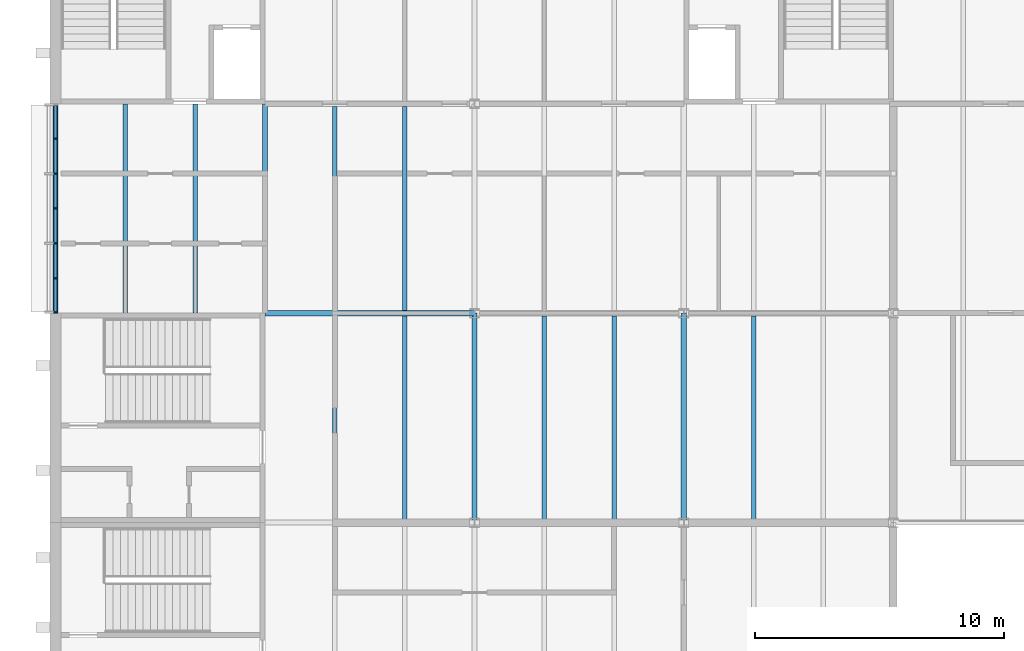
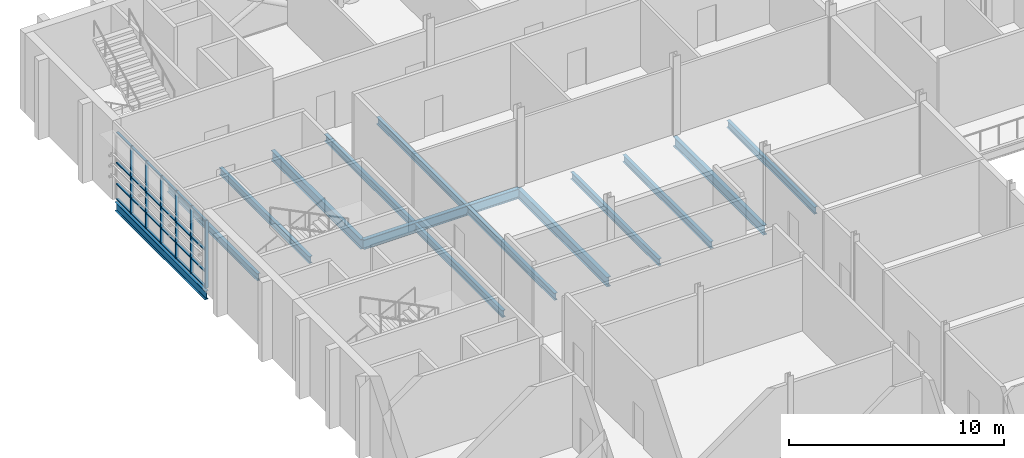
# One storey, part 45 of 129: 30 members, 14 beams, 1 element without a shape of its own.
"""IFC4 building model written with IfcOpenShell, lengths in metres."""

from ifc_helpers import new_model, si_unit, direction, frame, origin, origin_2d, place, context, subcontext, project, spatial, rectangle, i_section, extrude, material, layer, layer_set, material_profile, profile_set, type_object, element, aggregate, save


model = new_model("IFC4")

# Units and contexts
model_context = context("Model", 3, precision=1e-05, world=origin(), true_north=direction((0.0, 1.0)))
body_context = subcontext(model_context, "Body", "Model", "MODEL_VIEW")
ifc_project = project(units=[si_unit("LENGTHUNIT", "METRE"), si_unit("AREAUNIT", "SQUARE_METRE"), si_unit("VOLUMEUNIT", "CUBIC_METRE"), si_unit("PLANEANGLEUNIT", "RADIAN"), si_unit("MASSUNIT", "GRAM", prefix="KILO")], contexts=[model_context])

# Site, building, storey
site_placement = place(None, origin())
site = spatial("IfcSite", under=ifc_project, at=site_placement, CompositionType="ELEMENT")
building_placement = place(site_placement, origin())
building = spatial("IfcBuilding", under=site, at=building_placement, Name="Ardhachandra Cancer Care Centre", CompositionType="ELEMENT")
storey_placement = place(building_placement, frame((0.0, 0.0, 4.5)))
storey = spatial("IfcBuildingStorey", under=building, at=storey_placement, Name="L01", CompositionType="ELEMENT", Elevation=4.5)

# Beams
ifc_material_1 = material(Name="Steel E350 (IS 2062)", Category="steel")
ifc_material_profile_1 = material_profile(ifc_material_1, i_section(OverallWidth=0.179931640625, OverallDepth=0.39990234375, WebThickness=0.008544921875, FlangeThickness=0.013427734375, FilletRadius=0.02099609375, at=origin_2d()), Name="NPB 400x180x66.30")
ifc_profile_set_1 = profile_set([ifc_material_profile_1], Name="Steel E350 (IS 2062)")
beam_type_1 = type_object("IfcBeamType", Name="Beam NPB 400x180x66.30", PredefinedType="BEAM", material=ifc_profile_set_1)
for number, where, z_axis, x_axis, name in (
    (1, (13.60009765625, 79.800048828125, -0.35009765625), (0.0, 1.0, 0.0), (-1.0, 0.0, 0.0), "Secondary J1-K1@2800"),
    (2, (16.39990234375, 79.800048828125, -0.35009765625), (0.0, 1.0, 0.0), (-1.0, 0.0, 0.0), "Secondary J1-K1@5600"),
):
    element("IfcBeam", number, at=place(storey_placement, frame(where, z_axis=z_axis, x_axis=x_axis)), inside=storey, type_object=beam_type_1, Name=name, PredefinedType="BEAM", context=body_context, shape_type="SweptSolid", body=[
        extrude(i_section(OverallWidth=0.179931640625, OverallDepth=0.39990234375, WebThickness=0.008544921875, FlangeThickness=0.013427734375, FilletRadius=0.02099609375, at=origin_2d()), origin(), (0.0, 0.0, 1.0), 8.39990234375),
    ])
beam_1_placement = place(storey_placement, frame((22.0, 71.5, -0.35009765625), z_axis=(0.0, 1.0, 0.0), x_axis=(-1.0, 0.0, 0.0)))
element("IfcBeam", 3, at=beam_1_placement, inside=storey, type_object=beam_type_1, Name="Secondary H2-J2@2800", PredefinedType="BEAM", context=body_context, shape_type="SweptSolid", body=[
    extrude(i_section(OverallWidth=0.179931640625, OverallDepth=0.39990234375, WebThickness=0.008544921875, FlangeThickness=0.013427734375, FilletRadius=0.02099609375, at=origin_2d()), origin(), (0.0, 0.0, 1.0), 8.195068359375),
])
beam_2_placement = place(storey_placement, frame((22.0, 79.905029296875, -0.35009765625), z_axis=(0.0, 1.0, 0.0), x_axis=(-1.0, 0.0, 0.0)))
element("IfcBeam", 4, at=beam_2_placement, inside=storey, type_object=beam_type_1, Name="Secondary J2-K2@2800", PredefinedType="BEAM", context=body_context, shape_type="SweptSolid", body=[
    extrude(i_section(OverallWidth=0.179931640625, OverallDepth=0.39990234375, WebThickness=0.008544921875, FlangeThickness=0.013427734375, FilletRadius=0.02099609375, at=origin_2d()), origin(), (0.0, 0.0, 1.0), 8.18994140625),
])
beam_3_placement = place(storey_placement, frame((24.800048828125, 71.5, -0.35009765625), z_axis=(0.0, 1.0, 0.0), x_axis=(-1.0, 0.0, 0.0)))
element("IfcBeam", 5, at=beam_3_placement, inside=storey, type_object=beam_type_1, Name="Secondary H2-J2@5600", PredefinedType="BEAM", context=body_context, shape_type="SweptSolid", body=[
    extrude(i_section(OverallWidth=0.179931640625, OverallDepth=0.39990234375, WebThickness=0.008544921875, FlangeThickness=0.013427734375, FilletRadius=0.02099609375, at=origin_2d()), origin(), (0.0, 0.0, 1.0), 8.195068359375),
])
beam_4_placement = place(storey_placement, frame((24.800048828125, 79.905029296875, -0.35009765625), z_axis=(0.0, 1.0, 0.0), x_axis=(-1.0, 0.0, 0.0)))
element("IfcBeam", 6, at=beam_4_placement, inside=storey, type_object=beam_type_1, Name="Secondary J2-K2@5600", PredefinedType="BEAM", context=body_context, shape_type="SweptSolid", body=[
    extrude(i_section(OverallWidth=0.179931640625, OverallDepth=0.39990234375, WebThickness=0.008544921875, FlangeThickness=0.013427734375, FilletRadius=0.02099609375, at=origin_2d()), origin(), (0.0, 0.0, 1.0), 8.18994140625),
])
for number, where, z_axis, x_axis, name in (
    (7, (30.39990234375, 71.5, -0.35009765625), (0.0, 1.0, 0.0), (-1.0, 0.0, 0.0), "Secondary H3-J3@2800"),
    (8, (33.199951171875, 71.5, -0.35009765625), (0.0, 1.0, 0.0), (-1.0, 0.0, 0.0), "Secondary H3-J3@5600"),
    (9, (38.800048828125, 71.5, -0.35009765625), (0.0, 1.0, 0.0), (-1.0, 0.0, 0.0), "Secondary H4-J4@2800"),
):
    element("IfcBeam", number, at=place(storey_placement, frame(where, z_axis=z_axis, x_axis=x_axis)), inside=storey, type_object=beam_type_1, Name=name, PredefinedType="BEAM", context=body_context, shape_type="SweptSolid", body=[
        extrude(i_section(OverallWidth=0.179931640625, OverallDepth=0.39990234375, WebThickness=0.008544921875, FlangeThickness=0.013427734375, FilletRadius=0.02099609375, at=origin_2d()), origin(), (0.0, 0.0, 1.0), 8.195068359375),
    ])
ifc_material_2 = material(Name="Steel E350 (IS 2062)", Category="steel")
ifc_material_profile_2 = material_profile(ifc_material_2, i_section(OverallWidth=0.199951171875, OverallDepth=0.5, WebThickness=0.01025390625, FlangeThickness=0.01611328125, FilletRadius=0.02099609375, at=origin_2d()), Name="NPB 500x200x90.68")
ifc_profile_set_2 = profile_set([ifc_material_profile_2], Name="Steel E350 (IS 2062)")
beam_type_2 = type_object("IfcBeamType", Name="Beam NPB 500x200x90.68", PredefinedType="BEAM", material=ifc_profile_set_2)
beam_5_placement = place(storey_placement, frame((10.800048828125, 79.800048828125, -0.39990234375), z_axis=(0.0, 1.0, 0.0), x_axis=(-1.0, 0.0, 0.0)))
element("IfcBeam", 10, at=beam_5_placement, inside=storey, type_object=beam_type_2, Name="Edge girder J1-K1", PredefinedType="BEAM", context=body_context, shape_type="SweptSolid", body=[
    extrude(i_section(OverallWidth=0.199951171875, OverallDepth=0.5, WebThickness=0.01025390625, FlangeThickness=0.01611328125, FilletRadius=0.02099609375, at=origin_2d()), origin(), (0.0, 0.0, 1.0), 8.39990234375),
])
ifc_material_3 = material(Name="Steel E350 (IS 2062)", Category="steel")
ifc_material_profile_3 = material_profile(ifc_material_3, i_section(OverallWidth=0.2099609375, OverallDepth=0.550048828125, WebThickness=0.010986328125, FlangeThickness=0.01708984375, FilletRadius=0.02392578125, at=origin_2d()), Name="NPB 550x210x105.52")
ifc_profile_set_3 = profile_set([ifc_material_profile_3], Name="Steel E350 (IS 2062)")
beam_type_3 = type_object("IfcBeamType", Name="Beam NPB 550x210x105.52", PredefinedType="BEAM", material=ifc_profile_set_3)
beam_6_placement = place(storey_placement, frame((19.199951171875, 79.800048828125, -0.425048828125), z_axis=(1.0, 0.0, 0.0), x_axis=(0.0, 1.0, 0.0)))
element("IfcBeam", 11, at=beam_6_placement, inside=storey, type_object=beam_type_3, Name="Girder J2-J3", PredefinedType="BEAM", context=body_context, shape_type="SweptSolid", body=[
    extrude(i_section(OverallWidth=0.2099609375, OverallDepth=0.550048828125, WebThickness=0.010986328125, FlangeThickness=0.01708984375, FilletRadius=0.02392578125, at=origin_2d()), origin(), (0.0, 0.0, 1.0), 8.400146484375),
])
beam_7_placement = place(storey_placement, frame((19.199951171875, 79.800048828125, -0.425048828125), z_axis=(0.0, 1.0, 0.0), x_axis=(-1.0, 0.0, 0.0)))
element("IfcBeam", 12, at=beam_7_placement, inside=storey, type_object=beam_type_3, Name="Girder J2-K2", PredefinedType="BEAM", context=body_context, shape_type="SweptSolid", body=[
    extrude(i_section(OverallWidth=0.2099609375, OverallDepth=0.550048828125, WebThickness=0.010986328125, FlangeThickness=0.01708984375, FilletRadius=0.02392578125, at=origin_2d()), origin(), (0.0, 0.0, 1.0), 8.39990234375),
])
for number, where, z_axis, x_axis, name in (
    (13, (27.60009765625, 71.39990234375, -0.425048828125), (0.0, 1.0, 0.0), (-1.0, 0.0, 0.0), "Girder H3-J3"),
    (14, (36.0, 71.39990234375, -0.425048828125), (0.0, 1.0, 0.0), (-1.0, 0.0, 0.0), "Girder H4-J4"),
):
    element("IfcBeam", number, at=place(storey_placement, frame(where, z_axis=z_axis, x_axis=x_axis)), inside=storey, type_object=beam_type_3, Name=name, PredefinedType="BEAM", context=body_context, shape_type="SweptSolid", body=[
        extrude(i_section(OverallWidth=0.2099609375, OverallDepth=0.550048828125, WebThickness=0.010986328125, FlangeThickness=0.01708984375, FilletRadius=0.02392578125, at=origin_2d()), origin(), (0.0, 0.0, 1.0), 8.400146484375),
    ])

# Curtain wall, members
ifc_material_4 = material(Name="Aluminium extrusion", Category="aluminium")
ifc_layer = layer(ifc_material_4, 0.14990234375)
ifc_layer_set = layer_set([ifc_layer], Name="Aluminium extrusion")
curtain_wall_type = type_object("IfcCurtainWallType", Name="Curtain wall run", PredefinedType="NOTDEFINED", material=ifc_layer_set)
curtain_wall_placement = place(storey_placement, origin())
curtain_wall = element("IfcCurtainWall", 15, at=curtain_wall_placement, inside=storey, type_object=curtain_wall_type, Name="Curtain wall L01 w/0010800_0079800", PredefinedType="NOTDEFINED")
ifc_material_5 = material(Name="Aluminium extrusion", Category="aluminium")
ifc_material_profile_4 = material_profile(ifc_material_5, rectangle(XDim=0.159912109375, YDim=0.06005859375, at=origin_2d()), Name="Curtain wall mullion 60 x 160")
ifc_profile_set_4 = profile_set([ifc_material_profile_4], Name="Aluminium extrusion")
member_type_1 = type_object("IfcMemberType", Name="Curtain wall mullion 60 x 160", PredefinedType="MULLION", material=ifc_profile_set_4)
member_1_placement = place(storey_placement, frame((10.800048828125, 79.830078125, 0.0), z_axis=(0.0, 0.0, 1.0), x_axis=(-1.0, 0.0, 0.0)))
member_1 = element("IfcMember", 16, at=member_1_placement, type_object=member_type_1, Name="CW mullion 1", PredefinedType="MULLION", context=body_context, shape_type="SweptSolid", body=[
    extrude(rectangle(XDim=0.159912109375, YDim=0.06005859375, at=origin_2d()), origin(), (0.0, 0.0, 1.0), 3.85009765625),
])
member_2_placement = place(storey_placement, frame((10.800048828125, 81.199951171875, 0.0), z_axis=(0.0, 0.0, 1.0), x_axis=(-1.0, 0.0, 0.0)))
member_2 = element("IfcMember", 17, at=member_2_placement, type_object=member_type_1, Name="CW mullion 2", PredefinedType="MULLION", context=body_context, shape_type="SweptSolid", body=[
    extrude(rectangle(XDim=0.159912109375, YDim=0.06005859375, at=origin_2d()), origin(), (0.0, 0.0, 1.0), 3.85009765625),
])
member_3_placement = place(storey_placement, frame((10.800048828125, 82.60009765625, 0.0), z_axis=(0.0, 0.0, 1.0), x_axis=(-1.0, 0.0, 0.0)))
member_3 = element("IfcMember", 18, at=member_3_placement, type_object=member_type_1, Name="CW mullion 3", PredefinedType="MULLION", context=body_context, shape_type="SweptSolid", body=[
    extrude(rectangle(XDim=0.159912109375, YDim=0.06005859375, at=origin_2d()), origin(), (0.0, 0.0, 1.0), 3.85009765625),
])
member_4_placement = place(storey_placement, frame((10.800048828125, 84.0, 0.0), z_axis=(0.0, 0.0, 1.0), x_axis=(-1.0, 0.0, 0.0)))
member_4 = element("IfcMember", 19, at=member_4_placement, type_object=member_type_1, Name="CW mullion 4", PredefinedType="MULLION", context=body_context, shape_type="SweptSolid", body=[
    extrude(rectangle(XDim=0.159912109375, YDim=0.06005859375, at=origin_2d()), origin(), (0.0, 0.0, 1.0), 3.85009765625),
])
member_5_placement = place(storey_placement, frame((10.800048828125, 85.39990234375, 0.0), z_axis=(0.0, 0.0, 1.0), x_axis=(-1.0, 0.0, 0.0)))
member_5 = element("IfcMember", 20, at=member_5_placement, type_object=member_type_1, Name="CW mullion 5", PredefinedType="MULLION", context=body_context, shape_type="SweptSolid", body=[
    extrude(rectangle(XDim=0.159912109375, YDim=0.06005859375, at=origin_2d()), origin(), (0.0, 0.0, 1.0), 3.85009765625),
])
member_6_placement = place(storey_placement, frame((10.800048828125, 86.800048828125, 0.0), z_axis=(0.0, 0.0, 1.0), x_axis=(-1.0, 0.0, 0.0)))
member_6 = element("IfcMember", 21, at=member_6_placement, type_object=member_type_1, Name="CW mullion 6", PredefinedType="MULLION", context=body_context, shape_type="SweptSolid", body=[
    extrude(rectangle(XDim=0.159912109375, YDim=0.06005859375, at=origin_2d()), origin(), (0.0, 0.0, 1.0), 3.85009765625),
])
ifc_material_6 = material(Name="Aluminium extrusion", Category="aluminium")
ifc_material_profile_5 = material_profile(ifc_material_6, rectangle(XDim=0.1201171875, YDim=0.06005859375, at=origin_2d()), Name="Curtain wall transom 60 x 120")
ifc_profile_set_5 = profile_set([ifc_material_profile_5], Name="Aluminium extrusion")
member_type_2 = type_object("IfcMemberType", Name="Curtain wall transom 60 x 120", PredefinedType="USERDEFINED", material=ifc_profile_set_5)
member_7_placement = place(storey_placement, frame((10.800048828125, 79.860107421875, 0.030029296875), z_axis=(0.0, 1.0, 0.0), x_axis=(-1.0, 0.0, 0.0)))
member_7 = element("IfcMember", 22, at=member_7_placement, type_object=member_type_2, Name="CW transom 1.1", ObjectType="TRANSOM", PredefinedType="USERDEFINED", context=body_context, shape_type="SweptSolid", body=[
    extrude(rectangle(XDim=0.1201171875, YDim=0.06005859375, at=origin_2d()), origin(), (0.0, 0.0, 1.0), 1.309814453125),
])
member_8_placement = place(storey_placement, frame((10.800048828125, 79.860107421875, 0.89990234375), z_axis=(0.0, 1.0, 0.0), x_axis=(-1.0, 0.0, 0.0)))
member_8 = element("IfcMember", 23, at=member_8_placement, type_object=member_type_2, Name="CW transom 1.2", ObjectType="TRANSOM", PredefinedType="USERDEFINED", context=body_context, shape_type="SweptSolid", body=[
    extrude(rectangle(XDim=0.1201171875, YDim=0.06005859375, at=origin_2d()), origin(), (0.0, 0.0, 1.0), 1.309814453125),
])
member_9_placement = place(storey_placement, frame((10.800048828125, 79.860107421875, 2.10009765625), z_axis=(0.0, 1.0, 0.0), x_axis=(-1.0, 0.0, 0.0)))
member_9 = element("IfcMember", 24, at=member_9_placement, type_object=member_type_2, Name="CW transom 1.3", ObjectType="TRANSOM", PredefinedType="USERDEFINED", context=body_context, shape_type="SweptSolid", body=[
    extrude(rectangle(XDim=0.1201171875, YDim=0.06005859375, at=origin_2d()), origin(), (0.0, 0.0, 1.0), 1.309814453125),
])
member_10_placement = place(storey_placement, frame((10.800048828125, 79.860107421875, 3.820068359375), z_axis=(0.0, 1.0, 0.0), x_axis=(-1.0, 0.0, 0.0)))
member_10 = element("IfcMember", 25, at=member_10_placement, type_object=member_type_2, Name="CW transom 1.4", ObjectType="TRANSOM", PredefinedType="USERDEFINED", context=body_context, shape_type="SweptSolid", body=[
    extrude(rectangle(XDim=0.1201171875, YDim=0.06005859375, at=origin_2d()), origin(), (0.0, 0.0, 1.0), 1.309814453125),
])
member_11_placement = place(storey_placement, frame((10.800048828125, 81.22998046875, 0.030029296875), z_axis=(0.0, 1.0, 0.0), x_axis=(-1.0, 0.0, 0.0)))
member_11 = element("IfcMember", 26, at=member_11_placement, type_object=member_type_2, Name="CW transom 2.1", ObjectType="TRANSOM", PredefinedType="USERDEFINED", context=body_context, shape_type="SweptSolid", body=[
    extrude(rectangle(XDim=0.1201171875, YDim=0.06005859375, at=origin_2d()), origin(), (0.0, 0.0, 1.0), 1.340087890625),
])
member_12_placement = place(storey_placement, frame((10.800048828125, 81.22998046875, 0.89990234375), z_axis=(0.0, 1.0, 0.0), x_axis=(-1.0, 0.0, 0.0)))
member_12 = element("IfcMember", 27, at=member_12_placement, type_object=member_type_2, Name="CW transom 2.2", ObjectType="TRANSOM", PredefinedType="USERDEFINED", context=body_context, shape_type="SweptSolid", body=[
    extrude(rectangle(XDim=0.1201171875, YDim=0.06005859375, at=origin_2d()), origin(), (0.0, 0.0, 1.0), 1.340087890625),
])
member_13_placement = place(storey_placement, frame((10.800048828125, 81.22998046875, 2.10009765625), z_axis=(0.0, 1.0, 0.0), x_axis=(-1.0, 0.0, 0.0)))
member_13 = element("IfcMember", 28, at=member_13_placement, type_object=member_type_2, Name="CW transom 2.3", ObjectType="TRANSOM", PredefinedType="USERDEFINED", context=body_context, shape_type="SweptSolid", body=[
    extrude(rectangle(XDim=0.1201171875, YDim=0.06005859375, at=origin_2d()), origin(), (0.0, 0.0, 1.0), 1.340087890625),
])
member_14_placement = place(storey_placement, frame((10.800048828125, 81.22998046875, 3.820068359375), z_axis=(0.0, 1.0, 0.0), x_axis=(-1.0, 0.0, 0.0)))
member_14 = element("IfcMember", 29, at=member_14_placement, type_object=member_type_2, Name="CW transom 2.4", ObjectType="TRANSOM", PredefinedType="USERDEFINED", context=body_context, shape_type="SweptSolid", body=[
    extrude(rectangle(XDim=0.1201171875, YDim=0.06005859375, at=origin_2d()), origin(), (0.0, 0.0, 1.0), 1.340087890625),
])
member_15_placement = place(storey_placement, frame((10.800048828125, 82.6298828125, 0.030029296875), z_axis=(0.0, 1.0, 0.0), x_axis=(-1.0, 0.0, 0.0)))
member_15 = element("IfcMember", 30, at=member_15_placement, type_object=member_type_2, Name="CW transom 3.1", ObjectType="TRANSOM", PredefinedType="USERDEFINED", context=body_context, shape_type="SweptSolid", body=[
    extrude(rectangle(XDim=0.1201171875, YDim=0.06005859375, at=origin_2d()), origin(), (0.0, 0.0, 1.0), 1.340087890625),
])
member_16_placement = place(storey_placement, frame((10.800048828125, 82.6298828125, 0.89990234375), z_axis=(0.0, 1.0, 0.0), x_axis=(-1.0, 0.0, 0.0)))
member_16 = element("IfcMember", 31, at=member_16_placement, type_object=member_type_2, Name="CW transom 3.2", ObjectType="TRANSOM", PredefinedType="USERDEFINED", context=body_context, shape_type="SweptSolid", body=[
    extrude(rectangle(XDim=0.1201171875, YDim=0.06005859375, at=origin_2d()), origin(), (0.0, 0.0, 1.0), 1.340087890625),
])
member_17_placement = place(storey_placement, frame((10.800048828125, 82.6298828125, 2.10009765625), z_axis=(0.0, 1.0, 0.0), x_axis=(-1.0, 0.0, 0.0)))
member_17 = element("IfcMember", 32, at=member_17_placement, type_object=member_type_2, Name="CW transom 3.3", ObjectType="TRANSOM", PredefinedType="USERDEFINED", context=body_context, shape_type="SweptSolid", body=[
    extrude(rectangle(XDim=0.1201171875, YDim=0.06005859375, at=origin_2d()), origin(), (0.0, 0.0, 1.0), 1.340087890625),
])
member_18_placement = place(storey_placement, frame((10.800048828125, 82.6298828125, 3.820068359375), z_axis=(0.0, 1.0, 0.0), x_axis=(-1.0, 0.0, 0.0)))
member_18 = element("IfcMember", 33, at=member_18_placement, type_object=member_type_2, Name="CW transom 3.4", ObjectType="TRANSOM", PredefinedType="USERDEFINED", context=body_context, shape_type="SweptSolid", body=[
    extrude(rectangle(XDim=0.1201171875, YDim=0.06005859375, at=origin_2d()), origin(), (0.0, 0.0, 1.0), 1.340087890625),
])
member_19_placement = place(storey_placement, frame((10.800048828125, 84.030029296875, 0.030029296875), z_axis=(0.0, 1.0, 0.0), x_axis=(-1.0, 0.0, 0.0)))
member_19 = element("IfcMember", 34, at=member_19_placement, type_object=member_type_2, Name="CW transom 4.1", ObjectType="TRANSOM", PredefinedType="USERDEFINED", context=body_context, shape_type="SweptSolid", body=[
    extrude(rectangle(XDim=0.1201171875, YDim=0.06005859375, at=origin_2d()), origin(), (0.0, 0.0, 1.0), 1.340087890625),
])
member_20_placement = place(storey_placement, frame((10.800048828125, 84.030029296875, 0.89990234375), z_axis=(0.0, 1.0, 0.0), x_axis=(-1.0, 0.0, 0.0)))
member_20 = element("IfcMember", 35, at=member_20_placement, type_object=member_type_2, Name="CW transom 4.2", ObjectType="TRANSOM", PredefinedType="USERDEFINED", context=body_context, shape_type="SweptSolid", body=[
    extrude(rectangle(XDim=0.1201171875, YDim=0.06005859375, at=origin_2d()), origin(), (0.0, 0.0, 1.0), 1.340087890625),
])
member_21_placement = place(storey_placement, frame((10.800048828125, 84.030029296875, 2.10009765625), z_axis=(0.0, 1.0, 0.0), x_axis=(-1.0, 0.0, 0.0)))
member_21 = element("IfcMember", 36, at=member_21_placement, type_object=member_type_2, Name="CW transom 4.3", ObjectType="TRANSOM", PredefinedType="USERDEFINED", context=body_context, shape_type="SweptSolid", body=[
    extrude(rectangle(XDim=0.1201171875, YDim=0.06005859375, at=origin_2d()), origin(), (0.0, 0.0, 1.0), 1.340087890625),
])
member_22_placement = place(storey_placement, frame((10.800048828125, 84.030029296875, 3.820068359375), z_axis=(0.0, 1.0, 0.0), x_axis=(-1.0, 0.0, 0.0)))
member_22 = element("IfcMember", 37, at=member_22_placement, type_object=member_type_2, Name="CW transom 4.4", ObjectType="TRANSOM", PredefinedType="USERDEFINED", context=body_context, shape_type="SweptSolid", body=[
    extrude(rectangle(XDim=0.1201171875, YDim=0.06005859375, at=origin_2d()), origin(), (0.0, 0.0, 1.0), 1.340087890625),
])
member_23_placement = place(storey_placement, frame((10.800048828125, 85.429931640625, 0.030029296875), z_axis=(0.0, 1.0, 0.0), x_axis=(-1.0, 0.0, 0.0)))
member_23 = element("IfcMember", 38, at=member_23_placement, type_object=member_type_2, Name="CW transom 5.1", ObjectType="TRANSOM", PredefinedType="USERDEFINED", context=body_context, shape_type="SweptSolid", body=[
    extrude(rectangle(XDim=0.1201171875, YDim=0.06005859375, at=origin_2d()), origin(), (0.0, 0.0, 1.0), 1.340087890625),
])
member_24_placement = place(storey_placement, frame((10.800048828125, 85.429931640625, 0.89990234375), z_axis=(0.0, 1.0, 0.0), x_axis=(-1.0, 0.0, 0.0)))
member_24 = element("IfcMember", 39, at=member_24_placement, type_object=member_type_2, Name="CW transom 5.2", ObjectType="TRANSOM", PredefinedType="USERDEFINED", context=body_context, shape_type="SweptSolid", body=[
    extrude(rectangle(XDim=0.1201171875, YDim=0.06005859375, at=origin_2d()), origin(), (0.0, 0.0, 1.0), 1.340087890625),
])
member_25_placement = place(storey_placement, frame((10.800048828125, 85.429931640625, 2.10009765625), z_axis=(0.0, 1.0, 0.0), x_axis=(-1.0, 0.0, 0.0)))
member_25 = element("IfcMember", 40, at=member_25_placement, type_object=member_type_2, Name="CW transom 5.3", ObjectType="TRANSOM", PredefinedType="USERDEFINED", context=body_context, shape_type="SweptSolid", body=[
    extrude(rectangle(XDim=0.1201171875, YDim=0.06005859375, at=origin_2d()), origin(), (0.0, 0.0, 1.0), 1.340087890625),
])
member_26_placement = place(storey_placement, frame((10.800048828125, 85.429931640625, 3.820068359375), z_axis=(0.0, 1.0, 0.0), x_axis=(-1.0, 0.0, 0.0)))
member_26 = element("IfcMember", 41, at=member_26_placement, type_object=member_type_2, Name="CW transom 5.4", ObjectType="TRANSOM", PredefinedType="USERDEFINED", context=body_context, shape_type="SweptSolid", body=[
    extrude(rectangle(XDim=0.1201171875, YDim=0.06005859375, at=origin_2d()), origin(), (0.0, 0.0, 1.0), 1.340087890625),
])
member_27_placement = place(storey_placement, frame((10.800048828125, 86.830078125, 0.030029296875), z_axis=(0.0, 1.0, 0.0), x_axis=(-1.0, 0.0, 0.0)))
member_27 = element("IfcMember", 42, at=member_27_placement, type_object=member_type_2, Name="CW transom 6.1", ObjectType="TRANSOM", PredefinedType="USERDEFINED", context=body_context, shape_type="SweptSolid", body=[
    extrude(rectangle(XDim=0.1201171875, YDim=0.06005859375, at=origin_2d()), origin(), (0.0, 0.0, 1.0), 1.309814453125),
])
member_28_placement = place(storey_placement, frame((10.800048828125, 86.830078125, 0.89990234375), z_axis=(0.0, 1.0, 0.0), x_axis=(-1.0, 0.0, 0.0)))
member_28 = element("IfcMember", 43, at=member_28_placement, type_object=member_type_2, Name="CW transom 6.2", ObjectType="TRANSOM", PredefinedType="USERDEFINED", context=body_context, shape_type="SweptSolid", body=[
    extrude(rectangle(XDim=0.1201171875, YDim=0.06005859375, at=origin_2d()), origin(), (0.0, 0.0, 1.0), 1.309814453125),
])
member_29_placement = place(storey_placement, frame((10.800048828125, 86.830078125, 2.10009765625), z_axis=(0.0, 1.0, 0.0), x_axis=(-1.0, 0.0, 0.0)))
member_29 = element("IfcMember", 44, at=member_29_placement, type_object=member_type_2, Name="CW transom 6.3", ObjectType="TRANSOM", PredefinedType="USERDEFINED", context=body_context, shape_type="SweptSolid", body=[
    extrude(rectangle(XDim=0.1201171875, YDim=0.06005859375, at=origin_2d()), origin(), (0.0, 0.0, 1.0), 1.309814453125),
])
member_30_placement = place(storey_placement, frame((10.800048828125, 86.830078125, 3.820068359375), z_axis=(0.0, 1.0, 0.0), x_axis=(-1.0, 0.0, 0.0)))
member_30 = element("IfcMember", 45, at=member_30_placement, type_object=member_type_2, Name="CW transom 6.4", ObjectType="TRANSOM", PredefinedType="USERDEFINED", context=body_context, shape_type="SweptSolid", body=[
    extrude(rectangle(XDim=0.1201171875, YDim=0.06005859375, at=origin_2d()), origin(), (0.0, 0.0, 1.0), 1.309814453125),
])
aggregate(curtain_wall, [member_1, member_2, member_3, member_4, member_5, member_6, member_7, member_8, member_9, member_10, member_11, member_12, member_13, member_14, member_15, member_16, member_17, member_18, member_19, member_20, member_21, member_22, member_23, member_24, member_25, member_26, member_27, member_28, member_29, member_30])

save(model, "model.ifc")
